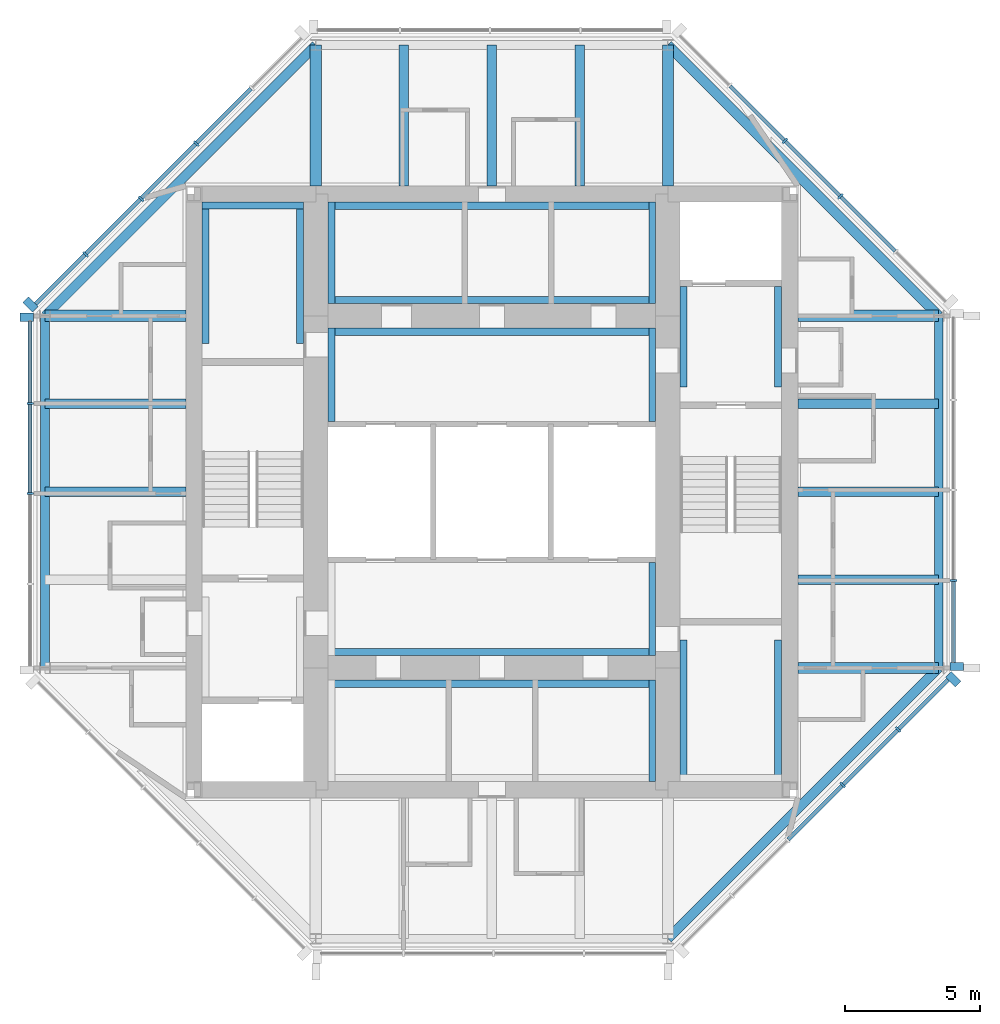
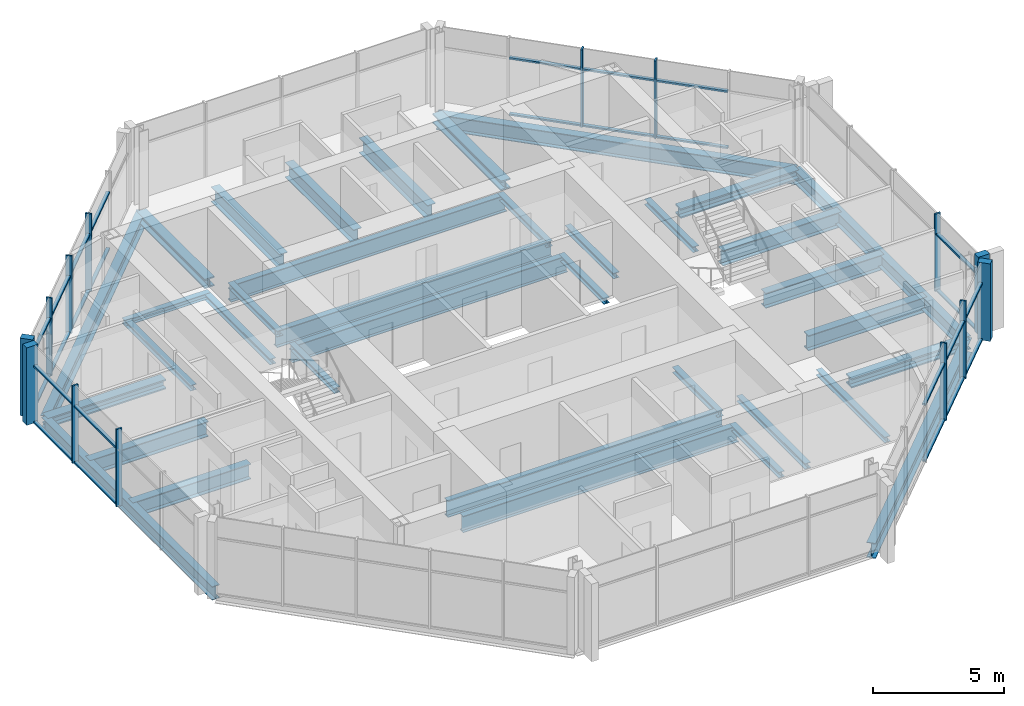
# One storey, part 2 of 9: 40 members, 36 beams, 5 elements without a shape of their own.
"""IFC4 building model written with IfcOpenShell, lengths in metres."""

from ifc_helpers import new_model, si_unit, direction, frame, origin, origin_2d, place, context, subcontext, project, spatial, rectangle, i_section, extrude, material, material_profile, profile_set, type_object, element, aggregate, save


model = new_model("IFC4")

# Units and contexts
model_context = context("Model", 3, precision=1e-05, world=origin(), true_north=direction((0.0, 1.0)))
body_context = subcontext(model_context, "Body", "Model", "MODEL_VIEW")
ifc_project = project(units=[si_unit("LENGTHUNIT", "METRE"), si_unit("AREAUNIT", "SQUARE_METRE"), si_unit("VOLUMEUNIT", "CUBIC_METRE"), si_unit("PLANEANGLEUNIT", "RADIAN"), si_unit("MASSUNIT", "GRAM", prefix="KILO")], contexts=[model_context])

# Site, building, storey
site_placement = place(None, origin())
site = spatial("IfcSite", under=ifc_project, at=site_placement, CompositionType="ELEMENT")
building_placement = place(site_placement, origin())
building = spatial("IfcBuilding", under=site, at=building_placement, Name="Trevanion Tower", CompositionType="ELEMENT")
storey_placement = place(building_placement, frame((0.0, 0.0, 292.0)))
storey = spatial("IfcBuildingStorey", under=building, at=storey_placement, Name="L72", CompositionType="ELEMENT", Elevation=292.0)

# Beams
ifc_material_1 = material(Name="Steel ASTM A992 Grade 50", Category="steel")
ifc_material_profile_1 = material_profile(ifc_material_1, i_section(OverallWidth=0.355712890625, OverallDepth=0.700927734375, WebThickness=0.016845703125, FlangeThickness=0.02734375, at=origin_2d()), Name="W27X161")
ifc_profile_set_1 = profile_set([ifc_material_profile_1], Name="Steel ASTM A992 Grade 50")
beam_type_1 = type_object("IfcBeamType", Name="B15 W27X161", PredefinedType="BEAM", material=ifc_profile_set_1)
for number, where, z_axis, x_axis, name in (
    (1, (11.300048828125, -3.25, -0.54052734375), (1.0, 0.0, 0.0), (0.0, 1.0, 0.0), "B15 L72"),
    (2, (11.300048828125, 0.0, -0.54052734375), (1.0, 0.0, 0.0), (0.0, 1.0, 0.0), "B15 L72"),
    (3, (11.300048828125, 3.25, -0.54052734375), (1.0, 0.0, 0.0), (0.0, 1.0, 0.0), "B15 L72"),
    (4, (3.25, 11.300048828125, -0.54052734375), (0.0, 1.0, 0.0), (-1.0, 0.0, 0.0), "B15 L72"),
    (5, (0.0, 11.300048828125, -0.54052734375), (0.0, 1.0, 0.0), (-1.0, 0.0, 0.0), "B15 L72"),
    (6, (-3.25, 11.300048828125, -0.54052734375), (0.0, 1.0, 0.0), (-1.0, 0.0, 0.0), "B15 L72"),
    (7, (-11.300048828125, 3.25, -0.54052734375), (-1.0, 0.0, 0.0), (0.0, -1.0, 0.0), "B15 L72"),
    (8, (-11.300048828125, 0.0, -0.54052734375), (-1.0, 0.0, 0.0), (0.0, -1.0, 0.0), "B15 L72"),
):
    element("IfcBeam", number, at=place(storey_placement, frame(where, z_axis=z_axis, x_axis=x_axis)), inside=storey, type_object=beam_type_1, Name=name, PredefinedType="BEAM", context=body_context, shape_type="SweptSolid", body=[
        extrude(i_section(OverallWidth=0.355712890625, OverallDepth=0.700927734375, WebThickness=0.016845703125, FlangeThickness=0.02734375, at=origin_2d()), origin(), (0.0, 0.0, 1.0), 5.199951171875),
    ])

# Curtain wall, member
ifc_material_2 = material(Name="Aluminium and glass", Category="aluminium")
curtain_wall_type = type_object("IfcCurtainWallType", Name="CW4 curtain wall", PredefinedType="USERDEFINED", material=ifc_material_2)
curtain_wall_1_placement = place(storey_placement, origin())
curtain_wall_1 = element("IfcCurtainWall", 9, at=curtain_wall_1_placement, inside=storey, type_object=curtain_wall_type, Name="CW4 L72 0", ObjectType="UNITISED CURTAIN WALL", PredefinedType="USERDEFINED")
ifc_material_3 = material(Name="Aluminium extrusion, anodised bronze", Category="aluminium")
ifc_material_profile_2 = material_profile(ifc_material_3, rectangle(XDim=0.074951171875, YDim=0.25, at=origin_2d()), Name="CW4 mullion")
ifc_profile_set_2 = profile_set([ifc_material_profile_2], Name="Aluminium extrusion, anodised bronze")
member_type_1 = type_object("IfcMemberType", Name="CW4 mullion", PredefinedType="MULLION", material=ifc_profile_set_2)
member_1_placement = place(storey_placement, frame((17.050048828125, -3.266357421875, -0.18994140625), z_axis=(0.0, 0.0, 1.0), x_axis=(0.0, 1.0, 0.0)))
member_1 = element("IfcMember", 10, at=member_1_placement, type_object=member_type_1, Name="CW4 mullion 2", PredefinedType="MULLION", context=body_context, shape_type="SweptSolid", body=[
    extrude(rectangle(XDim=0.074951171875, YDim=0.25, at=origin_2d()), origin(), (0.0, 0.0, 1.0), 3.599853515625),
])

# Curtain wall, members
curtain_wall_2_placement = place(storey_placement, origin())
curtain_wall_2 = element("IfcCurtainWall", 11, at=curtain_wall_2_placement, inside=storey, type_object=curtain_wall_type, Name="CW4 L72 1", ObjectType="UNITISED CURTAIN WALL", PredefinedType="USERDEFINED")
member_2_placement = place(storey_placement, frame((12.865966796875, 10.911865234375, -0.18994140625), z_axis=(0.0, 0.0, 1.0), x_axis=(-0.707106781187, 0.707106781187, 0.0)))
member_2 = element("IfcMember", 12, at=member_2_placement, type_object=member_type_1, Name="CW4 mullion 3", PredefinedType="MULLION", context=body_context, shape_type="SweptSolid", body=[
    extrude(rectangle(XDim=0.074951171875, YDim=0.25, at=origin_2d()), origin(), (0.0, 0.0, 1.0), 3.599853515625),
])
member_3_placement = place(storey_placement, frame((10.81982421875, 12.9580078125, -0.18994140625), z_axis=(0.0, 0.0, 1.0), x_axis=(-0.707106781187, 0.707106781187, 0.0)))
member_3 = element("IfcMember", 13, at=member_3_placement, type_object=member_type_1, Name="CW4 mullion 4", PredefinedType="MULLION", context=body_context, shape_type="SweptSolid", body=[
    extrude(rectangle(XDim=0.074951171875, YDim=0.25, at=origin_2d()), origin(), (0.0, 0.0, 1.0), 3.599853515625),
])

curtain_wall_3_placement = place(storey_placement, origin())
curtain_wall_3 = element("IfcCurtainWall", 14, at=curtain_wall_3_placement, inside=storey, type_object=curtain_wall_type, Name="CW4 L72 3", ObjectType="UNITISED CURTAIN WALL", PredefinedType="USERDEFINED")
member_4_placement = place(storey_placement, frame((-10.911865234375, 12.865966796875, -0.18994140625), z_axis=(0.0, 0.0, 1.0), x_axis=(-0.707106781187, -0.707106781187, 0.0)))
member_4 = element("IfcMember", 15, at=member_4_placement, type_object=member_type_1, Name="CW4 mullion 3", PredefinedType="MULLION", context=body_context, shape_type="SweptSolid", body=[
    extrude(rectangle(XDim=0.074951171875, YDim=0.25, at=origin_2d()), origin(), (0.0, 0.0, 1.0), 3.599853515625),
])
member_5_placement = place(storey_placement, frame((-12.9580078125, 10.81982421875, -0.18994140625), z_axis=(0.0, 0.0, 1.0), x_axis=(-0.707106781187, -0.707106781187, 0.0)))
member_5 = element("IfcMember", 16, at=member_5_placement, type_object=member_type_1, Name="CW4 mullion 4", PredefinedType="MULLION", context=body_context, shape_type="SweptSolid", body=[
    extrude(rectangle(XDim=0.074951171875, YDim=0.25, at=origin_2d()), origin(), (0.0, 0.0, 1.0), 3.599853515625),
])
member_6_placement = place(storey_placement, frame((-15.00390625, 8.77392578125, -0.18994140625), z_axis=(0.0, 0.0, 1.0), x_axis=(-0.707106781187, -0.707106781187, 0.0)))
member_6 = element("IfcMember", 17, at=member_6_placement, type_object=member_type_1, Name="CW4 mullion 5", PredefinedType="MULLION", context=body_context, shape_type="SweptSolid", body=[
    extrude(rectangle(XDim=0.074951171875, YDim=0.25, at=origin_2d()), origin(), (0.0, 0.0, 1.0), 3.599853515625),
])

curtain_wall_4_placement = place(storey_placement, origin())
curtain_wall_4 = element("IfcCurtainWall", 18, at=curtain_wall_4_placement, inside=storey, type_object=curtain_wall_type, Name="CW4 L72 4", ObjectType="UNITISED CURTAIN WALL", PredefinedType="USERDEFINED")
member_7_placement = place(storey_placement, frame((-17.050048828125, 3.266357421875, -0.18994140625), z_axis=(0.0, 0.0, 1.0), x_axis=(0.0, -1.0, 0.0)))
member_7 = element("IfcMember", 19, at=member_7_placement, type_object=member_type_1, Name="CW4 mullion 2", PredefinedType="MULLION", context=body_context, shape_type="SweptSolid", body=[
    extrude(rectangle(XDim=0.074951171875, YDim=0.25, at=origin_2d()), origin(), (0.0, 0.0, 1.0), 3.599853515625),
])
member_8_placement = place(storey_placement, frame((-17.050048828125, -0.06494140625, -0.18994140625), z_axis=(0.0, 0.0, 1.0), x_axis=(0.0, -1.0, 0.0)))
member_8 = element("IfcMember", 20, at=member_8_placement, type_object=member_type_1, Name="CW4 mullion 3", PredefinedType="MULLION", context=body_context, shape_type="SweptSolid", body=[
    extrude(rectangle(XDim=0.074951171875, YDim=0.25, at=origin_2d()), origin(), (0.0, 0.0, 1.0), 3.599853515625),
])

curtain_wall_5_placement = place(storey_placement, origin())
curtain_wall_5 = element("IfcCurtainWall", 21, at=curtain_wall_5_placement, inside=storey, type_object=curtain_wall_type, Name="CW4 L72 7", ObjectType="UNITISED CURTAIN WALL", PredefinedType="USERDEFINED")
member_9_placement = place(storey_placement, frame((12.9580078125, -10.81982421875, -0.18994140625), z_axis=(0.0, 0.0, 1.0), x_axis=(0.707106781187, 0.707106781187, 0.0)))
member_9 = element("IfcMember", 22, at=member_9_placement, type_object=member_type_1, Name="CW4 mullion 4", PredefinedType="MULLION", context=body_context, shape_type="SweptSolid", body=[
    extrude(rectangle(XDim=0.074951171875, YDim=0.25, at=origin_2d()), origin(), (0.0, 0.0, 1.0), 3.599853515625),
])
member_10_placement = place(storey_placement, frame((15.00390625, -8.77392578125, -0.18994140625), z_axis=(0.0, 0.0, 1.0), x_axis=(0.707106781187, 0.707106781187, 0.0)))
member_10 = element("IfcMember", 23, at=member_10_placement, type_object=member_type_1, Name="CW4 mullion 5", PredefinedType="MULLION", context=body_context, shape_type="SweptSolid", body=[
    extrude(rectangle(XDim=0.074951171875, YDim=0.25, at=origin_2d()), origin(), (0.0, 0.0, 1.0), 3.599853515625),
])

# Member
ifc_material_4 = material(Name="Aluminium extrusion, anodised bronze", Category="aluminium")
ifc_material_profile_3 = material_profile(ifc_material_4, rectangle(XDim=0.300048828125, YDim=0.5, at=origin_2d()), Name="CW4 pier mullion")
ifc_profile_set_3 = profile_set([ifc_material_profile_3], Name="Aluminium extrusion, anodised bronze")
member_type_2 = type_object("IfcMemberType", Name="CW4 pier mullion", PredefinedType="MULLION", material=ifc_profile_set_3)
member_11_placement = place(storey_placement, frame((17.175048828125, -6.44775390625, -0.18994140625), z_axis=(0.0, 0.0, 1.0), x_axis=(0.0, 1.0, 0.0)))
member_11 = element("IfcMember", 24, at=member_11_placement, type_object=member_type_2, Name="CW4 pier mullion 1", PredefinedType="MULLION", context=body_context, shape_type="SweptSolid", body=[
    extrude(rectangle(XDim=0.300048828125, YDim=0.5, at=origin_2d()), origin(), (0.0, 0.0, 1.0), 3.599853515625),
])

member_12_placement = place(storey_placement, frame((-17.0322265625, 6.92236328125, -0.18994140625), z_axis=(0.0, 0.0, 1.0), x_axis=(-0.707106781187, -0.707106781187, 0.0)))
member_12 = element("IfcMember", 25, at=member_12_placement, type_object=member_type_2, Name="CW4 pier mullion 6", PredefinedType="MULLION", context=body_context, shape_type="SweptSolid", body=[
    extrude(rectangle(XDim=0.300048828125, YDim=0.5, at=origin_2d()), origin(), (0.0, 0.0, 1.0), 3.599853515625),
])

member_13_placement = place(storey_placement, frame((-17.175048828125, 6.44775390625, -0.18994140625), z_axis=(0.0, 0.0, 1.0), x_axis=(0.0, -1.0, 0.0)))
member_13 = element("IfcMember", 26, at=member_13_placement, type_object=member_type_2, Name="CW4 pier mullion 1", PredefinedType="MULLION", context=body_context, shape_type="SweptSolid", body=[
    extrude(rectangle(XDim=0.300048828125, YDim=0.5, at=origin_2d()), origin(), (0.0, 0.0, 1.0), 3.599853515625),
])

member_14_placement = place(storey_placement, frame((17.0322265625, -6.92236328125, -0.18994140625), z_axis=(0.0, 0.0, 1.0), x_axis=(0.707106781187, 0.707106781187, 0.0)))
member_14 = element("IfcMember", 27, at=member_14_placement, type_object=member_type_2, Name="CW4 pier mullion 6", PredefinedType="MULLION", context=body_context, shape_type="SweptSolid", body=[
    extrude(rectangle(XDim=0.300048828125, YDim=0.5, at=origin_2d()), origin(), (0.0, 0.0, 1.0), 3.599853515625),
])

ifc_material_5 = material(Name="Aluminium extrusion, anodised bronze", Category="aluminium")
ifc_material_profile_4 = material_profile(ifc_material_5, rectangle(XDim=0.14990234375, YDim=0.074951171875, at=origin_2d()), Name="CW4 transom")
ifc_profile_set_4 = profile_set([ifc_material_profile_4], Name="Aluminium extrusion, anodised bronze")
member_type_3 = type_object("IfcMemberType", Name="CW4 transom", PredefinedType="USERDEFINED", material=ifc_profile_set_4)
member_15_placement = place(storey_placement, frame((17.050048828125, -6.2978515625, -0.152587890625), z_axis=(0.0, 1.0, 0.0), x_axis=(-1.0, 0.0, 0.0)))
member_15 = element("IfcMember", 28, at=member_15_placement, type_object=member_type_3, Name="CW4 transom 1.1", ObjectType="TRANSOM", PredefinedType="USERDEFINED", context=body_context, shape_type="SweptSolid", body=[
    extrude(rectangle(XDim=0.14990234375, YDim=0.074951171875, at=origin_2d()), origin(), (0.0, 0.0, 1.0), 2.993896484375),
])

member_16_placement = place(storey_placement, frame((17.050048828125, -6.2978515625, 2.4599609375), z_axis=(0.0, 1.0, 0.0), x_axis=(-1.0, 0.0, 0.0)))
member_16 = element("IfcMember", 29, at=member_16_placement, type_object=member_type_3, Name="CW4 transom 1.2", ObjectType="TRANSOM", PredefinedType="USERDEFINED", context=body_context, shape_type="SweptSolid", body=[
    extrude(rectangle(XDim=0.14990234375, YDim=0.074951171875, at=origin_2d()), origin(), (0.0, 0.0, 1.0), 2.993896484375),
])

aggregate(curtain_wall_1, [member_11, member_1, member_15, member_16])

member_17_placement = place(storey_placement, frame((14.885498046875, 8.892333984375, -0.152587890625), z_axis=(-0.707106781187, 0.707106781187, 0.0), x_axis=(-0.707106781187, -0.707106781187, 0.0)))
member_17 = element("IfcMember", 30, at=member_17_placement, type_object=member_type_3, Name="CW4 transom 2.1", ObjectType="TRANSOM", PredefinedType="USERDEFINED", context=body_context, shape_type="SweptSolid", body=[
    extrude(rectangle(XDim=0.14990234375, YDim=0.074951171875, at=origin_2d()), origin(), (0.0, 0.0, 1.0), 2.818359375),
])

member_18_placement = place(storey_placement, frame((14.885498046875, 8.892333984375, 2.4599609375), z_axis=(-0.707106781187, 0.707106781187, 0.0), x_axis=(-0.707106781187, -0.707106781187, 0.0)))
member_18 = element("IfcMember", 31, at=member_18_placement, type_object=member_type_3, Name="CW4 transom 2.2", ObjectType="TRANSOM", PredefinedType="USERDEFINED", context=body_context, shape_type="SweptSolid", body=[
    extrude(rectangle(XDim=0.14990234375, YDim=0.074951171875, at=origin_2d()), origin(), (0.0, 0.0, 1.0), 2.818359375),
])

member_19_placement = place(storey_placement, frame((12.839599609375, 10.9384765625, -0.152587890625), z_axis=(-0.707150088905, 0.707063470815, 0.0), x_axis=(-0.707063470815, -0.707150088905, 0.0)))
member_19 = element("IfcMember", 32, at=member_19_placement, type_object=member_type_3, Name="CW4 transom 3.1", ObjectType="TRANSOM", PredefinedType="USERDEFINED", context=body_context, shape_type="SweptSolid", body=[
    extrude(rectangle(XDim=0.14990234375, YDim=0.074951171875, at=origin_2d()), origin(), (0.0, 0.0, 1.0), 2.818603515625),
])

member_20_placement = place(storey_placement, frame((12.839599609375, 10.9384765625, 2.4599609375), z_axis=(-0.707150088905, 0.707063470815, 0.0), x_axis=(-0.707063470815, -0.707150088905, 0.0)))
member_20 = element("IfcMember", 33, at=member_20_placement, type_object=member_type_3, Name="CW4 transom 3.2", ObjectType="TRANSOM", PredefinedType="USERDEFINED", context=body_context, shape_type="SweptSolid", body=[
    extrude(rectangle(XDim=0.14990234375, YDim=0.074951171875, at=origin_2d()), origin(), (0.0, 0.0, 1.0), 2.818603515625),
])

member_21_placement = place(storey_placement, frame((10.79345703125, 12.984375, -0.152587890625), z_axis=(-0.707150088905, 0.707063470815, 0.0), x_axis=(-0.707063470815, -0.707150088905, 0.0)))
member_21 = element("IfcMember", 34, at=member_21_placement, type_object=member_type_3, Name="CW4 transom 4.1", ObjectType="TRANSOM", PredefinedType="USERDEFINED", context=body_context, shape_type="SweptSolid", body=[
    extrude(rectangle(XDim=0.14990234375, YDim=0.074951171875, at=origin_2d()), origin(), (0.0, 0.0, 1.0), 2.818603515625),
])

member_22_placement = place(storey_placement, frame((10.79345703125, 12.984375, 2.4599609375), z_axis=(-0.707150088905, 0.707063470815, 0.0), x_axis=(-0.707063470815, -0.707150088905, 0.0)))
member_22 = element("IfcMember", 35, at=member_22_placement, type_object=member_type_3, Name="CW4 transom 4.2", ObjectType="TRANSOM", PredefinedType="USERDEFINED", context=body_context, shape_type="SweptSolid", body=[
    extrude(rectangle(XDim=0.14990234375, YDim=0.074951171875, at=origin_2d()), origin(), (0.0, 0.0, 1.0), 2.818603515625),
])

aggregate(curtain_wall_2, [member_2, member_3, member_17, member_18, member_19, member_20, member_21, member_22])

member_23_placement = place(storey_placement, frame((-8.892333984375, 14.885498046875, -0.152587890625), z_axis=(-0.707106781187, -0.707106781187, 0.0), x_axis=(0.707106781187, -0.707106781187, 0.0)))
member_23 = element("IfcMember", 36, at=member_23_placement, type_object=member_type_3, Name="CW4 transom 2.1", ObjectType="TRANSOM", PredefinedType="USERDEFINED", context=body_context, shape_type="SweptSolid", body=[
    extrude(rectangle(XDim=0.14990234375, YDim=0.074951171875, at=origin_2d()), origin(), (0.0, 0.0, 1.0), 2.818359375),
])

member_24_placement = place(storey_placement, frame((-8.892333984375, 14.885498046875, 2.4599609375), z_axis=(-0.707106781187, -0.707106781187, 0.0), x_axis=(0.707106781187, -0.707106781187, 0.0)))
member_24 = element("IfcMember", 37, at=member_24_placement, type_object=member_type_3, Name="CW4 transom 2.2", ObjectType="TRANSOM", PredefinedType="USERDEFINED", context=body_context, shape_type="SweptSolid", body=[
    extrude(rectangle(XDim=0.14990234375, YDim=0.074951171875, at=origin_2d()), origin(), (0.0, 0.0, 1.0), 2.818359375),
])

member_25_placement = place(storey_placement, frame((-10.9384765625, 12.839599609375, -0.152587890625), z_axis=(-0.707063470815, -0.707150088905, 0.0), x_axis=(0.707150088905, -0.707063470815, 0.0)))
member_25 = element("IfcMember", 38, at=member_25_placement, type_object=member_type_3, Name="CW4 transom 3.1", ObjectType="TRANSOM", PredefinedType="USERDEFINED", context=body_context, shape_type="SweptSolid", body=[
    extrude(rectangle(XDim=0.14990234375, YDim=0.074951171875, at=origin_2d()), origin(), (0.0, 0.0, 1.0), 2.818603515625),
])

member_26_placement = place(storey_placement, frame((-10.9384765625, 12.839599609375, 2.4599609375), z_axis=(-0.707063470815, -0.707150088905, 0.0), x_axis=(0.707150088905, -0.707063470815, 0.0)))
member_26 = element("IfcMember", 39, at=member_26_placement, type_object=member_type_3, Name="CW4 transom 3.2", ObjectType="TRANSOM", PredefinedType="USERDEFINED", context=body_context, shape_type="SweptSolid", body=[
    extrude(rectangle(XDim=0.14990234375, YDim=0.074951171875, at=origin_2d()), origin(), (0.0, 0.0, 1.0), 2.818603515625),
])

member_27_placement = place(storey_placement, frame((-12.984375, 10.79345703125, -0.152587890625), z_axis=(-0.707063470815, -0.707150088905, 0.0), x_axis=(0.707150088905, -0.707063470815, 0.0)))
member_27 = element("IfcMember", 40, at=member_27_placement, type_object=member_type_3, Name="CW4 transom 4.1", ObjectType="TRANSOM", PredefinedType="USERDEFINED", context=body_context, shape_type="SweptSolid", body=[
    extrude(rectangle(XDim=0.14990234375, YDim=0.074951171875, at=origin_2d()), origin(), (0.0, 0.0, 1.0), 2.818603515625),
])

member_28_placement = place(storey_placement, frame((-12.984375, 10.79345703125, 2.4599609375), z_axis=(-0.707063470815, -0.707150088905, 0.0), x_axis=(0.707150088905, -0.707063470815, 0.0)))
member_28 = element("IfcMember", 41, at=member_28_placement, type_object=member_type_3, Name="CW4 transom 4.2", ObjectType="TRANSOM", PredefinedType="USERDEFINED", context=body_context, shape_type="SweptSolid", body=[
    extrude(rectangle(XDim=0.14990234375, YDim=0.074951171875, at=origin_2d()), origin(), (0.0, 0.0, 1.0), 2.818603515625),
])

member_29_placement = place(storey_placement, frame((-15.030517578125, 8.747314453125, -0.152587890625), z_axis=(-0.707106781187, -0.707106781187, 0.0), x_axis=(0.707106781187, -0.707106781187, 0.0)))
member_29 = element("IfcMember", 42, at=member_29_placement, type_object=member_type_3, Name="CW4 transom 5.1", ObjectType="TRANSOM", PredefinedType="USERDEFINED", context=body_context, shape_type="SweptSolid", body=[
    extrude(rectangle(XDim=0.14990234375, YDim=0.074951171875, at=origin_2d()), origin(), (0.0, 0.0, 1.0), 2.555908203125),
])

member_30_placement = place(storey_placement, frame((-15.030517578125, 8.747314453125, 2.4599609375), z_axis=(-0.707106781187, -0.707106781187, 0.0), x_axis=(0.707106781187, -0.707106781187, 0.0)))
member_30 = element("IfcMember", 43, at=member_30_placement, type_object=member_type_3, Name="CW4 transom 5.2", ObjectType="TRANSOM", PredefinedType="USERDEFINED", context=body_context, shape_type="SweptSolid", body=[
    extrude(rectangle(XDim=0.14990234375, YDim=0.074951171875, at=origin_2d()), origin(), (0.0, 0.0, 1.0), 2.555908203125),
])

aggregate(curtain_wall_3, [member_4, member_5, member_6, member_12, member_23, member_24, member_25, member_26, member_27, member_28, member_29, member_30])

member_31_placement = place(storey_placement, frame((-17.050048828125, 6.2978515625, -0.152587890625), z_axis=(0.0, -1.0, 0.0), x_axis=(1.0, 0.0, 0.0)))
member_31 = element("IfcMember", 44, at=member_31_placement, type_object=member_type_3, Name="CW4 transom 1.1", ObjectType="TRANSOM", PredefinedType="USERDEFINED", context=body_context, shape_type="SweptSolid", body=[
    extrude(rectangle(XDim=0.14990234375, YDim=0.074951171875, at=origin_2d()), origin(), (0.0, 0.0, 1.0), 2.993896484375),
])

member_32_placement = place(storey_placement, frame((-17.050048828125, 6.2978515625, 2.4599609375), z_axis=(0.0, -1.0, 0.0), x_axis=(1.0, 0.0, 0.0)))
member_32 = element("IfcMember", 45, at=member_32_placement, type_object=member_type_3, Name="CW4 transom 1.2", ObjectType="TRANSOM", PredefinedType="USERDEFINED", context=body_context, shape_type="SweptSolid", body=[
    extrude(rectangle(XDim=0.14990234375, YDim=0.074951171875, at=origin_2d()), origin(), (0.0, 0.0, 1.0), 2.993896484375),
])

member_33_placement = place(storey_placement, frame((-17.050048828125, 3.22900390625, -0.152587890625), z_axis=(0.0, -1.0, 0.0), x_axis=(1.0, 0.0, 0.0)))
member_33 = element("IfcMember", 46, at=member_33_placement, type_object=member_type_3, Name="CW4 transom 2.1", ObjectType="TRANSOM", PredefinedType="USERDEFINED", context=body_context, shape_type="SweptSolid", body=[
    extrude(rectangle(XDim=0.14990234375, YDim=0.074951171875, at=origin_2d()), origin(), (0.0, 0.0, 1.0), 3.256591796875),
])

member_34_placement = place(storey_placement, frame((-17.050048828125, 3.22900390625, 2.4599609375), z_axis=(0.0, -1.0, 0.0), x_axis=(1.0, 0.0, 0.0)))
member_34 = element("IfcMember", 47, at=member_34_placement, type_object=member_type_3, Name="CW4 transom 2.2", ObjectType="TRANSOM", PredefinedType="USERDEFINED", context=body_context, shape_type="SweptSolid", body=[
    extrude(rectangle(XDim=0.14990234375, YDim=0.074951171875, at=origin_2d()), origin(), (0.0, 0.0, 1.0), 3.256591796875),
])

aggregate(curtain_wall_4, [member_13, member_7, member_8, member_31, member_32, member_33, member_34])

member_35_placement = place(storey_placement, frame((10.9384765625, -12.839599609375, -0.152587890625), z_axis=(0.707063470815, 0.707150088905, 0.0), x_axis=(-0.707150088905, 0.707063470815, 0.0)))
member_35 = element("IfcMember", 48, at=member_35_placement, type_object=member_type_3, Name="CW4 transom 3.1", ObjectType="TRANSOM", PredefinedType="USERDEFINED", context=body_context, shape_type="SweptSolid", body=[
    extrude(rectangle(XDim=0.14990234375, YDim=0.074951171875, at=origin_2d()), origin(), (0.0, 0.0, 1.0), 2.818603515625),
])

member_36_placement = place(storey_placement, frame((10.9384765625, -12.839599609375, 2.4599609375), z_axis=(0.707063470815, 0.707150088905, 0.0), x_axis=(-0.707150088905, 0.707063470815, 0.0)))
member_36 = element("IfcMember", 49, at=member_36_placement, type_object=member_type_3, Name="CW4 transom 3.2", ObjectType="TRANSOM", PredefinedType="USERDEFINED", context=body_context, shape_type="SweptSolid", body=[
    extrude(rectangle(XDim=0.14990234375, YDim=0.074951171875, at=origin_2d()), origin(), (0.0, 0.0, 1.0), 2.818603515625),
])

member_37_placement = place(storey_placement, frame((12.984375, -10.79345703125, -0.152587890625), z_axis=(0.707063470815, 0.707150088905, 0.0), x_axis=(-0.707150088905, 0.707063470815, 0.0)))
member_37 = element("IfcMember", 50, at=member_37_placement, type_object=member_type_3, Name="CW4 transom 4.1", ObjectType="TRANSOM", PredefinedType="USERDEFINED", context=body_context, shape_type="SweptSolid", body=[
    extrude(rectangle(XDim=0.14990234375, YDim=0.074951171875, at=origin_2d()), origin(), (0.0, 0.0, 1.0), 2.818603515625),
])

member_38_placement = place(storey_placement, frame((12.984375, -10.79345703125, 2.4599609375), z_axis=(0.707063470815, 0.707150088905, 0.0), x_axis=(-0.707150088905, 0.707063470815, 0.0)))
member_38 = element("IfcMember", 51, at=member_38_placement, type_object=member_type_3, Name="CW4 transom 4.2", ObjectType="TRANSOM", PredefinedType="USERDEFINED", context=body_context, shape_type="SweptSolid", body=[
    extrude(rectangle(XDim=0.14990234375, YDim=0.074951171875, at=origin_2d()), origin(), (0.0, 0.0, 1.0), 2.818603515625),
])

member_39_placement = place(storey_placement, frame((15.030517578125, -8.747314453125, -0.152587890625), z_axis=(0.707106781187, 0.707106781187, 0.0), x_axis=(-0.707106781187, 0.707106781187, 0.0)))
member_39 = element("IfcMember", 52, at=member_39_placement, type_object=member_type_3, Name="CW4 transom 5.1", ObjectType="TRANSOM", PredefinedType="USERDEFINED", context=body_context, shape_type="SweptSolid", body=[
    extrude(rectangle(XDim=0.14990234375, YDim=0.074951171875, at=origin_2d()), origin(), (0.0, 0.0, 1.0), 2.555908203125),
])

member_40_placement = place(storey_placement, frame((15.030517578125, -8.747314453125, 2.4599609375), z_axis=(0.707106781187, 0.707106781187, 0.0), x_axis=(-0.707106781187, 0.707106781187, 0.0)))
member_40 = element("IfcMember", 53, at=member_40_placement, type_object=member_type_3, Name="CW4 transom 5.2", ObjectType="TRANSOM", PredefinedType="USERDEFINED", context=body_context, shape_type="SweptSolid", body=[
    extrude(rectangle(XDim=0.14990234375, YDim=0.074951171875, at=origin_2d()), origin(), (0.0, 0.0, 1.0), 2.555908203125),
])

aggregate(curtain_wall_5, [member_9, member_10, member_14, member_35, member_36, member_37, member_38, member_39, member_40])

# Beams
ifc_material_6 = material(Name="Steel ASTM A992 Grade 50", Category="steel")
ifc_material_profile_5 = material_profile(ifc_material_6, i_section(OverallWidth=0.41650390625, OverallDepth=0.444580078125, WebThickness=0.0390625, FlangeThickness=0.062744140625, at=origin_2d()), Name="W14X342")
ifc_profile_set_5 = profile_set([ifc_material_profile_5], Name="Steel ASTM A992 Grade 50")
beam_type_2 = type_object("IfcBeamType", Name="G8 W14X342", PredefinedType="BEAM", material=ifc_profile_set_5)
for number, where, z_axis, x_axis, name in (
    (54, (11.300048828125, -6.5, -0.412109375), (1.0, 0.0, 0.0), (0.0, 1.0, 0.0), "G8 L72"),
    (55, (11.300048828125, 6.5, -0.412109375), (1.0, 0.0, 0.0), (0.0, 1.0, 0.0), "G8 L72"),
    (56, (6.5, 11.300048828125, -0.412109375), (0.0, 1.0, 0.0), (-1.0, 0.0, 0.0), "G8 L72"),
    (57, (-6.5, 11.300048828125, -0.412109375), (0.0, 1.0, 0.0), (-1.0, 0.0, 0.0), "G8 L72"),
    (58, (-11.300048828125, 6.5, -0.412109375), (-1.0, 0.0, 0.0), (0.0, -1.0, 0.0), "G8 L72"),
):
    element("IfcBeam", number, at=place(storey_placement, frame(where, z_axis=z_axis, x_axis=x_axis)), inside=storey, type_object=beam_type_2, Name=name, PredefinedType="BEAM", context=body_context, shape_type="SweptSolid", body=[
        extrude(i_section(OverallWidth=0.41650390625, OverallDepth=0.444580078125, WebThickness=0.0390625, FlangeThickness=0.062744140625, at=origin_2d()), origin(), (0.0, 0.0, 1.0), 5.199951171875),
    ])
ifc_material_7 = material(Name="Steel ASTM A992 Grade 50", Category="steel")
ifc_material_profile_6 = material_profile(ifc_material_7, i_section(OverallWidth=0.256591796875, OverallDepth=0.26416015625, WebThickness=0.011962890625, FlangeThickness=0.01953125, at=origin_2d()), Name="W10X68")
ifc_profile_set_6 = profile_set([ifc_material_profile_6], Name="Steel ASTM A992 Grade 50")
beam_type_3 = type_object("IfcBeamType", Name="LB1 W10X68", PredefinedType="BEAM", material=ifc_profile_set_6)
for number, where, z_axis, x_axis, name in (
    (59, (-5.921630859375, 2.60009765625, -0.33203125), (0.0, 1.0, 0.0), (-1.0, 0.0, 0.0), "LB1 L72"),
    (60, (5.921630859375, 2.60009765625, -0.33203125), (0.0, 1.0, 0.0), (-1.0, 0.0, 0.0), "LB1 L72"),
    (61, (5.921630859375, -6.050048828125, -0.33203125), (0.0, 1.0, 0.0), (-1.0, 0.0, 0.0), "LB1 L72"),
):
    element("IfcBeam", number, at=place(storey_placement, frame(where, z_axis=z_axis, x_axis=x_axis)), inside=storey, type_object=beam_type_3, Name=name, PredefinedType="BEAM", context=body_context, shape_type="SweptSolid", body=[
        extrude(i_section(OverallWidth=0.256591796875, OverallDepth=0.26416015625, WebThickness=0.011962890625, FlangeThickness=0.01953125, at=origin_2d()), origin(), (0.0, 0.0, 1.0), 3.449951171875),
    ])
for number, where, z_axis, x_axis, name in (
    (62, (7.078369140625, 3.875, -0.33203125), (0.0, 1.0, 0.0), (-1.0, 0.0, 0.0), "LB1 L72"),
    (63, (10.57177734375, 3.875, -0.33203125), (0.0, 1.0, 0.0), (-1.0, 0.0, 0.0), "LB1 L72"),
):
    element("IfcBeam", number, at=place(storey_placement, frame(where, z_axis=z_axis, x_axis=x_axis)), inside=storey, type_object=beam_type_3, Name=name, PredefinedType="BEAM", context=body_context, shape_type="SweptSolid", body=[
        extrude(i_section(OverallWidth=0.256591796875, OverallDepth=0.26416015625, WebThickness=0.011962890625, FlangeThickness=0.01953125, at=origin_2d()), origin(), (0.0, 0.0, 1.0), 3.699951171875),
    ])
for number, where, z_axis, x_axis, name in (
    (64, (7.078369140625, -10.699951171875, -0.33203125), (0.0, 1.0, 0.0), (-1.0, 0.0, 0.0), "LB1 L72"),
    (65, (10.57177734375, -10.699951171875, -0.33203125), (0.0, 1.0, 0.0), (-1.0, 0.0, 0.0), "LB1 L72"),
    (66, (-10.57177734375, 5.47509765625, -0.33203125), (0.0, 1.0, 0.0), (-1.0, 0.0, 0.0), "LB1 L72"),
    (67, (-7.078369140625, 5.47509765625, -0.33203125), (0.0, 1.0, 0.0), (-1.0, 0.0, 0.0), "LB1 L72"),
):
    element("IfcBeam", number, at=place(storey_placement, frame(where, z_axis=z_axis, x_axis=x_axis)), inside=storey, type_object=beam_type_3, Name=name, PredefinedType="BEAM", context=body_context, shape_type="SweptSolid", body=[
        extrude(i_section(OverallWidth=0.256591796875, OverallDepth=0.26416015625, WebThickness=0.011962890625, FlangeThickness=0.01953125, at=origin_2d()), origin(), (0.0, 0.0, 1.0), 5.224853515625),
    ])
for number, where, z_axis, x_axis, name in (
    (68, (-10.699951171875, 10.57177734375, -0.33203125), (1.0, 0.0, 0.0), (0.0, 1.0, 0.0), "LB1 L72"),
    (69, (-5.921630859375, 6.949951171875, -0.33203125), (0.0, 1.0, 0.0), (-1.0, 0.0, 0.0), "LB1 L72"),
    (70, (5.921630859375, 6.949951171875, -0.33203125), (0.0, 1.0, 0.0), (-1.0, 0.0, 0.0), "LB1 L72"),
    (71, (5.921630859375, -10.699951171875, -0.33203125), (0.0, 1.0, 0.0), (-1.0, 0.0, 0.0), "LB1 L72"),
):
    element("IfcBeam", number, at=place(storey_placement, frame(where, z_axis=z_axis, x_axis=x_axis)), inside=storey, type_object=beam_type_3, Name=name, PredefinedType="BEAM", context=body_context, shape_type="SweptSolid", body=[
        extrude(i_section(OverallWidth=0.256591796875, OverallDepth=0.26416015625, WebThickness=0.011962890625, FlangeThickness=0.01953125, at=origin_2d()), origin(), (0.0, 0.0, 1.0), 3.75),
    ])
ifc_material_8 = material(Name="Steel ASTM A992 Grade 50", Category="steel")
ifc_material_profile_7 = material_profile(ifc_material_8, i_section(OverallWidth=0.2666015625, OverallDepth=0.76953125, WebThickness=0.015625, FlangeThickness=0.025390625, at=origin_2d()), Name="W30X132")
ifc_profile_set_7 = profile_set([ifc_material_profile_7], Name="Steel ASTM A992 Grade 50")
beam_type_4 = type_object("IfcBeamType", Name="LB3 W30X132", PredefinedType="BEAM", material=ifc_profile_set_7)
for number, where, z_axis, x_axis, name in (
    (72, (-6.050048828125, 5.91650390625, -0.584716796875), (1.0, 0.0, 0.0), (0.0, 1.0, 0.0), "LB3 L72"),
    (73, (-6.050048828125, -5.91650390625, -0.584716796875), (1.0, 0.0, 0.0), (0.0, 1.0, 0.0), "LB3 L72"),
    (74, (-6.050048828125, 7.08349609375, -0.584716796875), (1.0, 0.0, 0.0), (0.0, 1.0, 0.0), "LB3 L72"),
    (75, (-6.050048828125, 10.566650390625, -0.584716796875), (1.0, 0.0, 0.0), (0.0, 1.0, 0.0), "LB3 L72"),
    (76, (-6.050048828125, -7.08349609375, -0.584716796875), (1.0, 0.0, 0.0), (0.0, 1.0, 0.0), "LB3 L72"),
):
    element("IfcBeam", number, at=place(storey_placement, frame(where, z_axis=z_axis, x_axis=x_axis)), inside=storey, type_object=beam_type_4, Name=name, PredefinedType="BEAM", context=body_context, shape_type="SweptSolid", body=[
        extrude(i_section(OverallWidth=0.2666015625, OverallDepth=0.76953125, WebThickness=0.015625, FlangeThickness=0.025390625, at=origin_2d()), origin(), (0.0, 0.0, 1.0), 12.10009765625),
    ])
ifc_material_9 = material(Name="Steel ASTM A992 Grade 50", Category="steel")
ifc_material_profile_8 = material_profile(ifc_material_9, i_section(OverallWidth=0.32763671875, OverallDepth=0.622314453125, WebThickness=0.015380859375, FlangeThickness=0.0244140625, at=origin_2d()), Name="W24X131")
ifc_profile_set_8 = profile_set([ifc_material_profile_8], Name="Steel ASTM A992 Grade 50")
beam_type_5 = type_object("IfcBeamType", Name="SB12 W24X131", PredefinedType="SPANDREL", material=ifc_profile_set_8)
for number, where, z_axis, x_axis, name in (
    (77, (16.5, -6.5, -0.501220703125), (0.0, 1.0, 0.0), (-1.0, 0.0, 0.0), "SB12 L72"),
    (78, (-16.5, 6.5, -0.501220703125), (0.0, -1.0, 0.0), (1.0, 0.0, 0.0), "SB12 L72"),
):
    element("IfcBeam", number, at=place(storey_placement, frame(where, z_axis=z_axis, x_axis=x_axis)), inside=storey, type_object=beam_type_5, Name=name, PredefinedType="SPANDREL", context=body_context, shape_type="SweptSolid", body=[
        extrude(i_section(OverallWidth=0.32763671875, OverallDepth=0.622314453125, WebThickness=0.015380859375, FlangeThickness=0.0244140625, at=origin_2d()), origin(), (0.0, 0.0, 1.0), 13.0),
    ])
ifc_material_10 = material(Name="Steel ASTM A992 Grade 50", Category="steel")
ifc_material_profile_9 = material_profile(ifc_material_10, i_section(OverallWidth=0.358154296875, OverallDepth=0.7060546875, WebThickness=0.018310546875, FlangeThickness=0.0302734375, at=origin_2d()), Name="W27X178")
ifc_profile_set_9 = profile_set([ifc_material_profile_9], Name="Steel ASTM A992 Grade 50")
beam_type_6 = type_object("IfcBeamType", Name="SB13 W27X178", PredefinedType="SPANDREL", material=ifc_profile_set_9)
for number, where, z_axis, x_axis, name in (
    (79, (16.5, 6.5, -0.543212890625), (-0.707106781187, 0.707106781187, 0.0), (-0.707106781187, -0.707106781187, 0.0), "SB13 L72"),
    (80, (-6.5, 16.5, -0.543212890625), (-0.707106781187, -0.707106781187, 0.0), (0.707106781187, -0.707106781187, 0.0), "SB13 L72"),
    (81, (6.5, -16.5, -0.543212890625), (0.707106781187, 0.707106781187, 0.0), (-0.707106781187, 0.707106781187, 0.0), "SB13 L72"),
):
    element("IfcBeam", number, at=place(storey_placement, frame(where, z_axis=z_axis, x_axis=x_axis)), inside=storey, type_object=beam_type_6, Name=name, PredefinedType="SPANDREL", context=body_context, shape_type="SweptSolid", body=[
        extrude(i_section(OverallWidth=0.358154296875, OverallDepth=0.7060546875, WebThickness=0.018310546875, FlangeThickness=0.0302734375, at=origin_2d()), origin(), (0.0, 0.0, 1.0), 14.14208984375),
    ])

save(model, "model.ifc")
